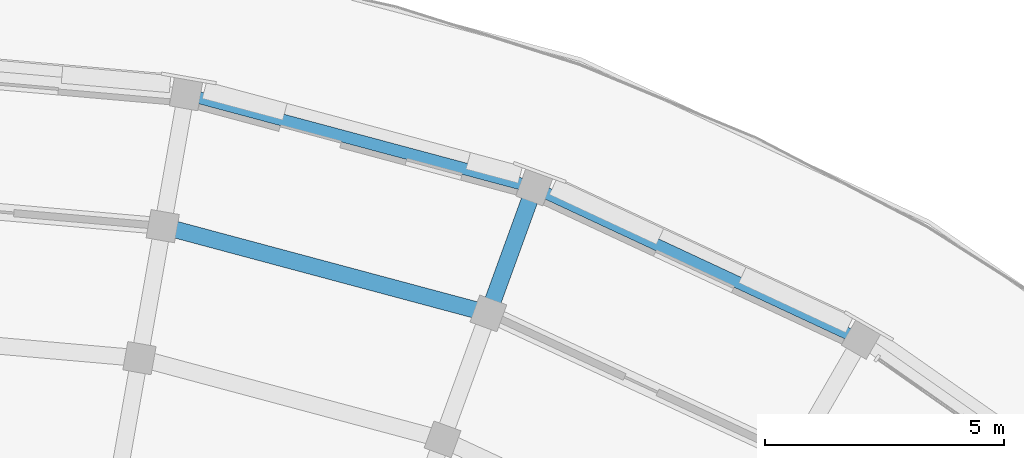
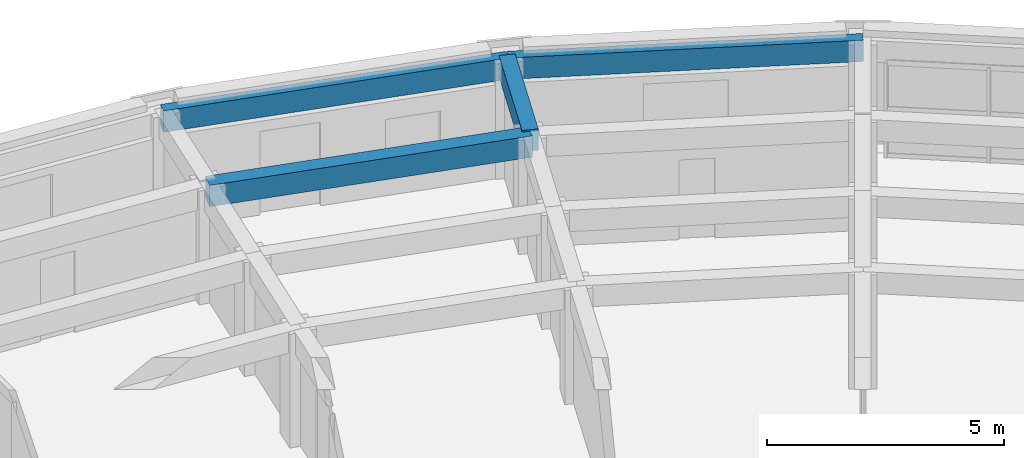
# One storey, part 12 of 53: 4 beams.
"""IFC4 building model written with IfcOpenShell, lengths in metres."""

from ifc_helpers import new_model, si_unit, direction, frame, origin, origin_2d, place, context, subcontext, project, spatial, rectangle, extrude, material, material_profile, profile_set, type_object, element, save


model = new_model("IFC4")

# Units and contexts
model_context = context("Model", 3, precision=1e-05, world=origin(), true_north=direction((0.0, 1.0)))
body_context = subcontext(model_context, "Body", "Model", "MODEL_VIEW")
ifc_project = project(units=[si_unit("LENGTHUNIT", "METRE"), si_unit("AREAUNIT", "SQUARE_METRE"), si_unit("VOLUMEUNIT", "CUBIC_METRE"), si_unit("PLANEANGLEUNIT", "RADIAN"), si_unit("MASSUNIT", "GRAM", prefix="KILO")], contexts=[model_context])

# Site, building, storey
site_placement = place(None, origin())
site = spatial("IfcSite", under=ifc_project, at=site_placement, CompositionType="ELEMENT")
building_placement = place(site_placement, origin())
building = spatial("IfcBuilding", under=site, at=building_placement, Name="Kiranvali Square Residences", CompositionType="ELEMENT")
storey_placement = place(building_placement, frame((0.0, 0.0, 30.75)))
storey = spatial("IfcBuildingStorey", under=building, at=storey_placement, Name="L09", CompositionType="ELEMENT", Elevation=30.75)

# Beams
ifc_material = material(Name="Concrete M40 (40 MPa)", Category="concrete")
ifc_material_profile_1 = material_profile(ifc_material, rectangle(XDim=0.35009765625, YDim=0.550048828125, at=origin_2d()), Name="RC 350x550")
ifc_profile_set_1 = profile_set([ifc_material_profile_1], Name="Concrete M40 (40 MPa)")
beam_type_1 = type_object("IfcBeamType", Name="BM-M40-350x550", PredefinedType="BEAM", material=ifc_profile_set_1)
beam_1_placement = place(storey_placement, frame((126.8154296875, 127.586181640625, 2.655029296875), z_axis=(0.965931029817, -0.258799624492, 0.0), x_axis=(0.258799624492, 0.965931029817, 0.0)))
element("IfcBeam", 1, at=beam_1_placement, inside=storey, type_object=beam_type_1, Name="L09 beam BM-B-L09-C01-R5", PredefinedType="BEAM", context=body_context, shape_type="SweptSolid", body=[
    extrude(rectangle(XDim=0.35009765625, YDim=0.550048828125, at=origin_2d()), origin(), (0.0, 0.0, 1.0), 7.042236328125),
])
beam_2_placement = place(storey_placement, frame((133.61767578125, 125.763671875, 2.695068359375), z_axis=(0.341981089711, 0.93970683422, 0.0), x_axis=(-0.93970683422, 0.341981089711, 0.0)))
element("IfcBeam", 2, at=beam_2_placement, inside=storey, type_object=beam_type_1, Name="L09 beam BM-B-L09-RAD02-56", PredefinedType="BEAM", context=body_context, shape_type="SweptSolid", body=[
    extrude(rectangle(XDim=0.35009765625, YDim=0.550048828125, at=origin_2d()), origin(), (0.0, 0.0, 1.0), 2.7998046875),
])
ifc_material_profile_2 = material_profile(ifc_material, rectangle(XDim=0.25, YDim=0.550048828125, at=origin_2d()), Name="RC 250x550")
ifc_profile_set_2 = profile_set([ifc_material_profile_2], Name="Concrete M40 (40 MPa)")
beam_type_2 = type_object("IfcBeamType", Name="SPN-M40-250x550", PredefinedType="SPANDREL", material=ifc_profile_set_2)
for number, where, z_axis, x_axis, name in (
    (3, (127.301513671875, 130.34375, 2.695068359375), (0.965925909693, -0.258818733833, 0.0), (0.258818733833, 0.965925909693, 0.0), "L09 beam BM-B-L09-C01-R6"),
    (4, (134.5751953125, 128.394775390625, 2.695068359375), (0.90630982703, -0.422613886933, 0.0), (0.422613886933, 0.90630982703, 0.0), "L09 beam BM-B-L09-C02-R6"),
):
    element("IfcBeam", number, at=place(storey_placement, frame(where, z_axis=z_axis, x_axis=x_axis)), inside=storey, type_object=beam_type_2, Name=name, PredefinedType="SPANDREL", context=body_context, shape_type="SweptSolid", body=[
        extrude(rectangle(XDim=0.25, YDim=0.550048828125, at=origin_2d()), origin(), (0.0, 0.0, 1.0), 7.5302734375),
    ])

save(model, "model.ifc")
